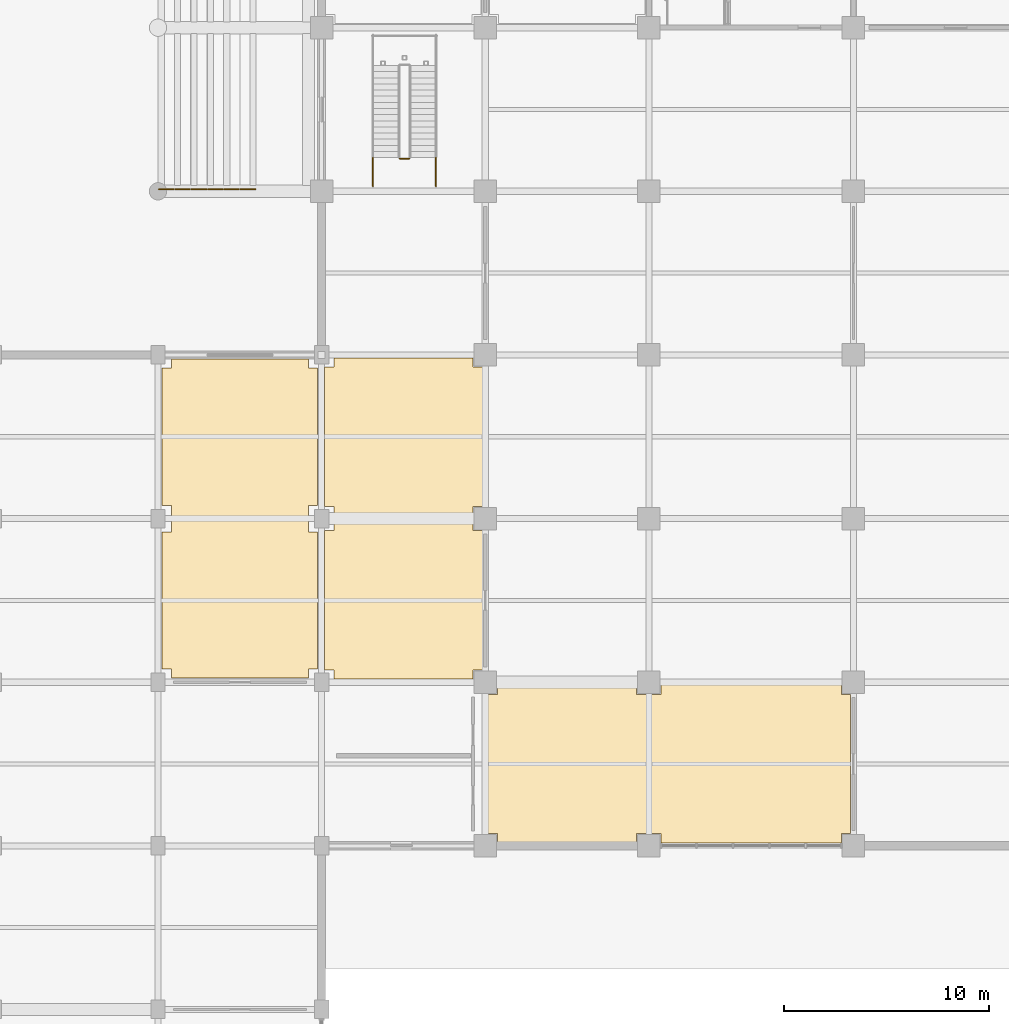
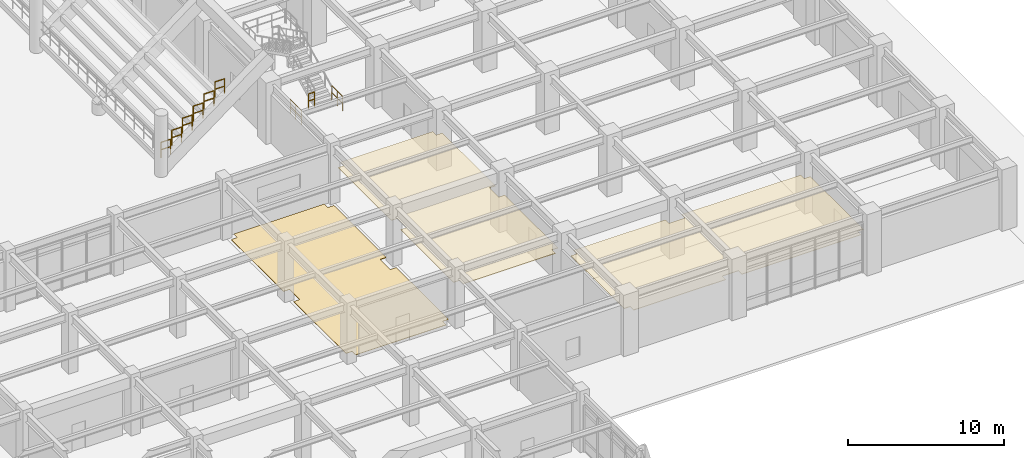
# One storey, part 113 of 125: 9 railings, 3 coverings.
"""IFC4 building model written with IfcOpenShell, lengths in metres."""

from ifc_helpers import new_model, si_unit, direction, frame, origin, origin_2d, place, context, subcontext, project, spatial, polyline, circle, outline, extrude, material, layer, layer_set, type_object, element, save


model = new_model("IFC4")

# Units and contexts
model_context = context("Model", 3, precision=1e-05, world=origin(), true_north=direction((0.0, 1.0)))
body_context = subcontext(model_context, "Body", "Model", "MODEL_VIEW")
ifc_project = project(units=[si_unit("LENGTHUNIT", "METRE"), si_unit("AREAUNIT", "SQUARE_METRE"), si_unit("VOLUMEUNIT", "CUBIC_METRE"), si_unit("PLANEANGLEUNIT", "RADIAN"), si_unit("MASSUNIT", "GRAM", prefix="KILO")], contexts=[model_context])

# Site, building, storey
site_placement = place(None, origin())
site = spatial("IfcSite", under=ifc_project, at=site_placement, CompositionType="ELEMENT")
building_placement = place(site_placement, origin())
building = spatial("IfcBuilding", under=site, at=building_placement, Name="Haebicheon Civic Stadium", CompositionType="ELEMENT")
storey_placement = place(building_placement, origin())
storey = spatial("IfcBuildingStorey", under=building, at=storey_placement, Name="L01", CompositionType="ELEMENT", Elevation=0.0)

# Coverings
ifc_material_1 = material(Name="Perforated mineral-fibre acoustic board", Category="gypsum")
ifc_layer_1 = layer(ifc_material_1, 0.0400390625, Name="Perforated mineral-fibre acoustic board")
ifc_layer_set_1 = layer_set([ifc_layer_1], Name="Perforated mineral-fibre acoustic board")
covering_type_1 = type_object("IfcCoveringType", Name="COV-CLG-AC", PredefinedType="CEILING", material=ifc_layer_set_1)
covering_1_placement = place(storey_placement, frame((0.0, 0.0, 2.81005859375)))
element("IfcCovering", 1, at=covering_1_placement, inside=storey, type_object=covering_type_1, material=ifc_layer_set_1, Name="L01 Community Stand Concourse acoustic ceiling", PredefinedType="CEILING", context=body_context, shape_type="SweptSolid", body=[
    extrude(outline(polyline([(200.594970703125, 32.14501953125), (200.594970703125, 32.594970703125), (200.14501953125, 32.594970703125), (200.14501953125, 39.405029296875), (200.594970703125, 39.405029296875), (200.594970703125, 40.594970703125), (200.14501953125, 40.594970703125), (200.14501953125, 47.405029296875), (200.594970703125, 47.405029296875), (200.594970703125, 47.85498046875), (207.405029296875, 47.85498046875), (207.405029296875, 47.405029296875), (207.85498046875, 47.405029296875), (207.85498046875, 40.594970703125), (207.405029296875, 40.594970703125), (207.405029296875, 39.405029296875), (207.85498046875, 39.405029296875), (207.85498046875, 32.594970703125), (207.405029296875, 32.594970703125), (207.405029296875, 32.14501953125), (200.594970703125, 32.14501953125)])), origin(), (0.0, 0.0, 1.0), 0.0400390625),
])
covering_2_placement = place(storey_placement, frame((0.0, 0.0, 2.81005859375)))
element("IfcCovering", 2, at=covering_2_placement, inside=storey, type_object=covering_type_1, material=ifc_layer_set_1, Name="L01 Community Stand Concourse acoustic ceiling", PredefinedType="CEILING", context=body_context, shape_type="SweptSolid", body=[
    extrude(outline(polyline([(208.14501953125, 31.405029296875), (208.594970703125, 31.405029296875), (208.594970703125, 31.85498046875), (215.405029296875, 31.85498046875), (215.405029296875, 31.405029296875), (216.594970703125, 31.405029296875), (216.594970703125, 31.85498046875), (225.405029296875, 31.85498046875), (225.405029296875, 31.405029296875), (225.85498046875, 31.405029296875), (225.85498046875, 24.594970703125), (225.405029296875, 24.594970703125), (225.405029296875, 24.14501953125), (216.594970703125, 24.14501953125), (216.594970703125, 24.594970703125), (215.405029296875, 24.594970703125), (215.405029296875, 24.14501953125), (208.594970703125, 24.14501953125), (208.594970703125, 24.594970703125), (208.14501953125, 24.594970703125), (208.14501953125, 31.405029296875)])), origin(), (0.0, 0.0, 1.0), 0.0400390625),
])
ifc_material_2 = material(Name="Quartz epoxy resin mortar", Category="concrete")
ifc_layer_2 = layer(ifc_material_2, 0.030029296875, Name="Quartz epoxy resin mortar")
ifc_layer_set_2 = layer_set([ifc_layer_2], Name="Quartz epoxy resin mortar")
covering_type_2 = type_object("IfcCoveringType", Name="COV-FLR-EPX", PredefinedType="FLOORING", material=ifc_layer_set_2)
covering_3_placement = place(storey_placement, origin())
element("IfcCovering", 3, at=covering_3_placement, inside=storey, type_object=covering_type_2, material=ifc_layer_set_2, Name="L01 Civic Sports Exhibition Gallery non-slip floor finish", PredefinedType="FLOORING", context=body_context, shape_type="SweptSolid", body=[
    extrude(outline(polyline([(192.64990234375, 32.199951171875), (192.64990234375, 32.64990234375), (192.199951171875, 32.64990234375), (192.199951171875, 39.35009765625), (192.64990234375, 39.35009765625), (192.64990234375, 40.64990234375), (192.199951171875, 40.64990234375), (192.199951171875, 47.35009765625), (192.64990234375, 47.35009765625), (192.64990234375, 47.800048828125), (199.35009765625, 47.800048828125), (199.35009765625, 47.35009765625), (199.800048828125, 47.35009765625), (199.800048828125, 40.64990234375), (199.35009765625, 40.64990234375), (199.35009765625, 39.35009765625), (199.800048828125, 39.35009765625), (199.800048828125, 32.64990234375), (199.35009765625, 32.64990234375), (199.35009765625, 32.199951171875), (192.64990234375, 32.199951171875)])), origin(), (0.0, 0.0, 1.0), 0.030029296875),
])

# Railings
ifc_material_3 = material(Name="Stainless steel 316 and laminated glass", Category="steel")
railing_type_1 = type_object("IfcRailingType", Name="RL-BAL-1200", PredefinedType="BALUSTRADE", material=ifc_material_3)
for number, where, name in (
    (4, (192.0400390625, 56.10009765625, 1.199951171875), "TIER-C-L end-aisle side guard S.1"),
    (5, (192.840087890625, 56.10009765625, 1.866943359375), "TIER-C-L end-aisle side guard S.2"),
):
    element("IfcRailing", number, at=place(storey_placement, frame(where)), inside=storey, type_object=railing_type_1, material=ifc_material_3, Name=name, PredefinedType="BALUSTRADE", context=body_context, shape_type="SweptSolid", body=[
        extrude(circle(Radius=0.02392578125, at=origin_2d()), frame((0.0, 0.0, 1.17578125), z_axis=(1.0, 0.0, 0.0), x_axis=(0.0, 1.0, 0.0)), (0.0, 0.0, 1.0), 0.719970703125),
        extrude(circle(Radius=0.02392578125, at=origin_2d()), frame((0.0, 0.0, 0.60009765625), z_axis=(1.0, 0.0, 0.0), x_axis=(0.0, 1.0, 0.0)), (0.0, 0.0, 1.0), 0.719970703125),
        extrude(circle(Radius=0.02099609375, at=origin_2d()), origin(), (0.0, 0.0, 1.0), 1.15185546875),
        extrude(circle(Radius=0.02099609375, at=origin_2d()), frame((0.719970703125, 0.0, 0.0)), (0.0, 0.0, 1.0), 1.15185546875),
    ])
railing_1_placement = place(storey_placement, frame((193.639892578125, 56.10009765625, 2.532958984375)))
element("IfcRailing", 6, at=railing_1_placement, inside=storey, type_object=railing_type_1, material=ifc_material_3, Name="TIER-C-L end-aisle side guard S.3", PredefinedType="BALUSTRADE", context=body_context, shape_type="SweptSolid", body=[
    extrude(circle(Radius=0.02392578125, at=origin_2d()), frame((0.0, 0.0, 1.17578125), z_axis=(1.0, 0.0, 0.0), x_axis=(0.0, 1.0, 0.0)), (0.0, 0.0, 1.0), 0.72021484375),
    extrude(circle(Radius=0.02392578125, at=origin_2d()), frame((0.0, 0.0, 0.60009765625), z_axis=(1.0, 0.0, 0.0), x_axis=(0.0, 1.0, 0.0)), (0.0, 0.0, 1.0), 0.72021484375),
    extrude(circle(Radius=0.02099609375, at=origin_2d()), origin(), (0.0, 0.0, 1.0), 1.15185546875),
    extrude(circle(Radius=0.02099609375, at=origin_2d()), frame((0.72021484375, 0.0, 0.0)), (0.0, 0.0, 1.0), 1.15185546875),
])
for number, where, name in (
    (7, (194.43994140625, 56.10009765625, 3.199951171875), "TIER-C-L end-aisle side guard S.4"),
    (8, (195.239990234375, 56.10009765625, 3.866943359375), "TIER-C-L end-aisle side guard S.5"),
    (9, (196.0400390625, 56.10009765625, 4.532958984375), "TIER-C-L end-aisle side guard S.6"),
):
    element("IfcRailing", number, at=place(storey_placement, frame(where)), inside=storey, type_object=railing_type_1, material=ifc_material_3, Name=name, PredefinedType="BALUSTRADE", context=body_context, shape_type="SweptSolid", body=[
        extrude(circle(Radius=0.02392578125, at=origin_2d()), frame((0.0, 0.0, 1.17578125), z_axis=(1.0, 0.0, 0.0), x_axis=(0.0, 1.0, 0.0)), (0.0, 0.0, 1.0), 0.719970703125),
        extrude(circle(Radius=0.02392578125, at=origin_2d()), frame((0.0, 0.0, 0.60009765625), z_axis=(1.0, 0.0, 0.0), x_axis=(0.0, 1.0, 0.0)), (0.0, 0.0, 1.0), 0.719970703125),
        extrude(circle(Radius=0.02099609375, at=origin_2d()), origin(), (0.0, 0.0, 1.0), 1.15185546875),
        extrude(circle(Radius=0.02099609375, at=origin_2d()), frame((0.719970703125, 0.0, 0.0)), (0.0, 0.0, 1.0), 1.15185546875),
    ])
ifc_material_4 = material(Name="Galvanised painted steel SM355", Category="steel")
railing_type_2 = type_object("IfcRailingType", Name="RL-GRD-1150", PredefinedType="GUARDRAIL", material=ifc_material_4)
railing_2_placement = place(storey_placement, frame((204.280029296875, 57.60009765625, 0.0)))
element("IfcRailing", 10, at=railing_2_placement, inside=storey, type_object=railing_type_2, material=ifc_material_4, Name="L01 VM-11 stair guard 7", PredefinedType="GUARDRAIL", context=body_context, shape_type="SweptSolid", body=[
    extrude(circle(Radius=0.02392578125, at=origin_2d()), frame((0.0, 0.0, 1.1259765625), z_axis=(-1.0, 0.0, 0.0), x_axis=(0.0, -1.0, 0.0)), (0.0, 0.0, 1.0), 0.4599609375),
    extrude(circle(Radius=0.02392578125, at=origin_2d()), frame((0.0, 0.0, 0.574951171875), z_axis=(-1.0, 0.0, 0.0), x_axis=(0.0, -1.0, 0.0)), (0.0, 0.0, 1.0), 0.4599609375),
    extrude(circle(Radius=0.02099609375, at=origin_2d()), origin(), (0.0, 0.0, 1.0), 1.101806640625),
    extrude(circle(Radius=0.02099609375, at=origin_2d()), frame((-0.4599609375, 0.0, 0.0)), (0.0, 0.0, 1.0), 1.101806640625),
])
for number, where, name in (
    (11, (205.590087890625, 56.25, 0.0), "L01 VM-11 stair guard 8"),
    (12, (202.510009765625, 56.25, 0.0), "L01 VM-11 stair guard 9"),
):
    element("IfcRailing", number, at=place(storey_placement, frame(where)), inside=storey, type_object=railing_type_2, material=ifc_material_4, Name=name, PredefinedType="GUARDRAIL", context=body_context, shape_type="SweptSolid", body=[
        extrude(circle(Radius=0.02392578125, at=origin_2d()), frame((0.0, 0.0, 1.1259765625), z_axis=(0.0, 1.0, 0.0), x_axis=(-1.0, 0.0, 0.0)), (0.0, 0.0, 1.0), 1.39990234375),
        extrude(circle(Radius=0.02392578125, at=origin_2d()), frame((0.0, 0.0, 0.574951171875), z_axis=(0.0, 1.0, 0.0), x_axis=(-1.0, 0.0, 0.0)), (0.0, 0.0, 1.0), 1.39990234375),
        extrude(circle(Radius=0.02099609375, at=origin_2d()), origin(), (0.0, 0.0, 1.0), 1.101806640625),
        extrude(circle(Radius=0.02099609375, at=origin_2d()), frame((0.0, 0.699951171875, 0.0)), (0.0, 0.0, 1.0), 1.101806640625),
        extrude(circle(Radius=0.02099609375, at=origin_2d()), frame((0.0, 1.39990234375, 0.0)), (0.0, 0.0, 1.0), 1.101806640625),
    ])

save(model, "model.ifc")
